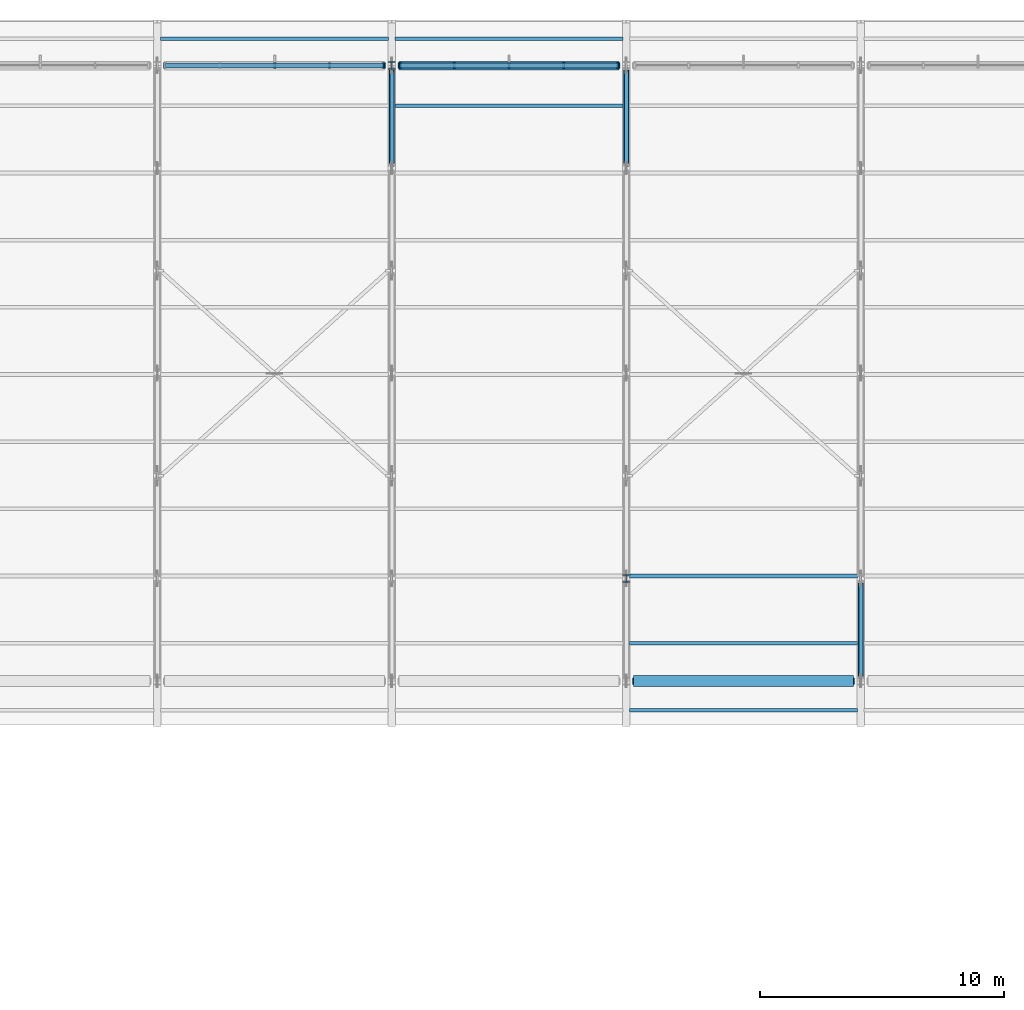
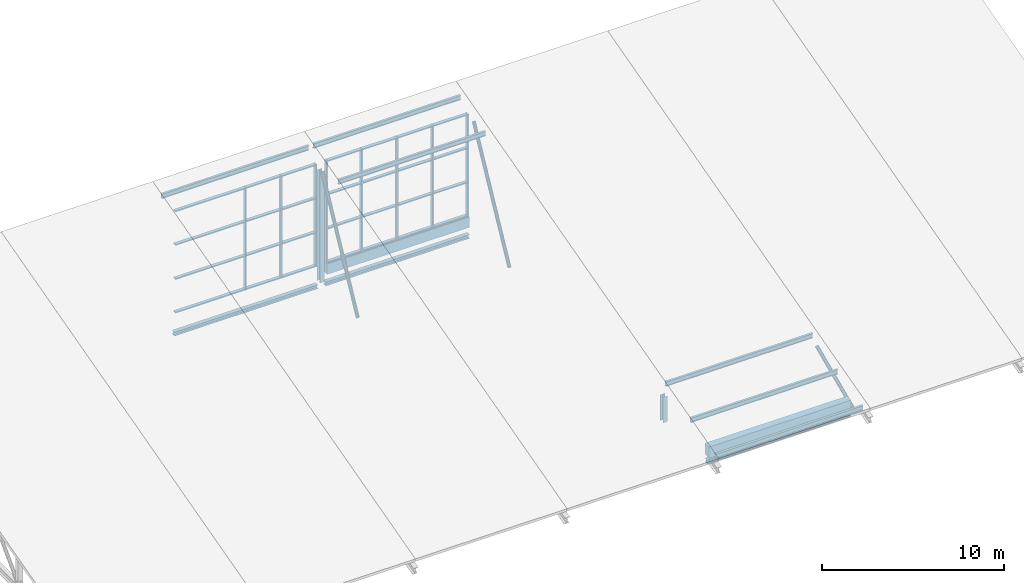
# One storey, part 6 of 37: 30 members, 2 beams, 2 elements without a shape of their own.
"""IFC4 building model written with IfcOpenShell, lengths in metres."""

from ifc_helpers import new_model, si_unit, direction, frame, origin, origin_2d, place, context, subcontext, project, spatial, rectangle, hollow_circle, i_section, extrude, material, material_profile, profile_set, type_object, element, aggregate, save


model = new_model("IFC4")

# Units and contexts
model_context = context("Model", 3, precision=1e-05, world=origin(), true_north=direction((0.0, 1.0)))
body_context = subcontext(model_context, "Body", "Model", "MODEL_VIEW")
ifc_project = project(units=[si_unit("LENGTHUNIT", "METRE"), si_unit("AREAUNIT", "SQUARE_METRE"), si_unit("VOLUMEUNIT", "CUBIC_METRE"), si_unit("PLANEANGLEUNIT", "RADIAN"), si_unit("MASSUNIT", "GRAM", prefix="KILO")], contexts=[model_context])

# Site, building, storey
site_placement = place(None, origin())
site = spatial("IfcSite", under=ifc_project, at=site_placement, CompositionType="ELEMENT")
building_placement = place(site_placement, origin())
building = spatial("IfcBuilding", under=site, at=building_placement, Name="Shalvenor Court Art Gallery", CompositionType="ELEMENT")
storey_placement = place(building_placement, frame((0.0, 0.0, 22.199951171875)))
storey = spatial("IfcBuildingStorey", under=building, at=storey_placement, Name="L04", CompositionType="ELEMENT", Elevation=22.199951171875)

# Beam
ifc_material_1 = material(Name="Concrete C40/50", Category="concrete")
ifc_material_profile_1 = material_profile(ifc_material_1, rectangle(XDim=0.449951171875, YDim=0.75, at=origin_2d()), Name="RC 450x750")
ifc_profile_set_1 = profile_set([ifc_material_profile_1], Name="Concrete C40/50")
beam_type_1 = type_object("IfcBeamType", Name="B-04", PredefinedType="BEAM", material=ifc_profile_set_1)
beam_1_placement = place(storey_placement, frame((96.300048828125, 97.199951171875, -0.675048828125), z_axis=(1.0, 0.0, 0.0), x_axis=(0.0, 1.0, 0.0)))
element("IfcBeam", 1, at=beam_1_placement, inside=storey, type_object=beam_type_1, Name="L04 Girder BM-L04-B-04-1241", PredefinedType="BEAM", context=body_context, shape_type="SweptSolid", body=[
    extrude(rectangle(XDim=0.449951171875, YDim=0.75, at=origin_2d()), origin(), (0.0, 0.0, 1.0), 9.0),
])

# Curtain wall, members
ifc_material_2 = material(Name="Anodised aluminium and low-iron glass curtain wall", Category="aluminium")
curtain_wall_type = type_object("IfcCurtainWallType", Name="CW-NL-V2", PredefinedType="USERDEFINED", material=ifc_material_2)
curtain_wall_1_placement = place(storey_placement, origin())
curtain_wall_1 = element("IfcCurtainWall", 2, at=curtain_wall_1_placement, inside=storey, type_object=curtain_wall_type, Name="L04 V2 North Light Clerestory 3", ObjectType="CURTAIN WALL", PredefinedType="USERDEFINED")
ifc_material_3 = material(Name="Dark anodised bronze aluminium mullion", Category="aluminium")
ifc_material_profile_2 = material_profile(ifc_material_3, rectangle(XDim=0.080078125, YDim=0.239990234375, at=origin_2d()), Name="CWM-05")
ifc_profile_set_2 = profile_set([ifc_material_profile_2], Name="Dark anodised bronze aluminium mullion")
member_type_1 = type_object("IfcMemberType", Name="CWM-05", PredefinedType="MULLION", material=ifc_profile_set_2)
member_1_placement = place(storey_placement, frame((81.60009765625, 122.39990234375, 0.0), z_axis=(0.0, 0.0, 1.0), x_axis=(1.0, 0.0, 0.0)))
member_1 = element("IfcMember", 3, at=member_1_placement, type_object=member_type_1, Name="CW-NL-V2 mullion 3", PredefinedType="MULLION", context=body_context, shape_type="SweptSolid", body=[
    extrude(rectangle(XDim=0.080078125, YDim=0.239990234375, at=origin_2d()), origin(), (0.0, 0.0, 1.0), 6.85009765625),
])
member_2_placement = place(storey_placement, frame((83.85009765625, 122.39990234375, 0.0), z_axis=(0.0, 0.0, 1.0), x_axis=(1.0, 0.0, 0.0)))
member_2 = element("IfcMember", 4, at=member_2_placement, type_object=member_type_1, Name="CW-NL-V2 mullion 4", PredefinedType="MULLION", context=body_context, shape_type="SweptSolid", body=[
    extrude(rectangle(XDim=0.080078125, YDim=0.239990234375, at=origin_2d()), origin(), (0.0, 0.0, 1.0), 6.85009765625),
])
member_3_placement = place(storey_placement, frame((86.06005859375, 122.39990234375, 0.0), z_axis=(0.0, 0.0, 1.0), x_axis=(1.0, 0.0, 0.0)))
member_3 = element("IfcMember", 5, at=member_3_placement, type_object=member_type_1, Name="CW-NL-V2 mullion 5", PredefinedType="MULLION", context=body_context, shape_type="SweptSolid", body=[
    extrude(rectangle(XDim=0.080078125, YDim=0.239990234375, at=origin_2d()), origin(), (0.0, 0.0, 1.0), 6.85009765625),
])

curtain_wall_2_placement = place(storey_placement, origin())
curtain_wall_2 = element("IfcCurtainWall", 6, at=curtain_wall_2_placement, inside=storey, type_object=curtain_wall_type, Name="L04 V2 North Light Clerestory 4", ObjectType="CURTAIN WALL", PredefinedType="USERDEFINED")
member_4_placement = place(storey_placement, frame((86.739990234375, 122.39990234375, 0.0), z_axis=(0.0, 0.0, 1.0), x_axis=(1.0, 0.0, 0.0)))
member_4 = element("IfcMember", 7, at=member_4_placement, type_object=member_type_1, Name="CW-NL-V2 mullion 1", PredefinedType="MULLION", context=body_context, shape_type="SweptSolid", body=[
    extrude(rectangle(XDim=0.080078125, YDim=0.239990234375, at=origin_2d()), origin(), (0.0, 0.0, 1.0), 6.85009765625),
])
member_5_placement = place(storey_placement, frame((88.949951171875, 122.39990234375, 0.0), z_axis=(0.0, 0.0, 1.0), x_axis=(1.0, 0.0, 0.0)))
member_5 = element("IfcMember", 8, at=member_5_placement, type_object=member_type_1, Name="CW-NL-V2 mullion 2", PredefinedType="MULLION", context=body_context, shape_type="SweptSolid", body=[
    extrude(rectangle(XDim=0.080078125, YDim=0.239990234375, at=origin_2d()), origin(), (0.0, 0.0, 1.0), 6.85009765625),
])
member_6_placement = place(storey_placement, frame((91.199951171875, 122.39990234375, 0.0), z_axis=(0.0, 0.0, 1.0), x_axis=(1.0, 0.0, 0.0)))
member_6 = element("IfcMember", 9, at=member_6_placement, type_object=member_type_1, Name="CW-NL-V2 mullion 3", PredefinedType="MULLION", context=body_context, shape_type="SweptSolid", body=[
    extrude(rectangle(XDim=0.080078125, YDim=0.239990234375, at=origin_2d()), origin(), (0.0, 0.0, 1.0), 6.85009765625),
])
member_7_placement = place(storey_placement, frame((93.449951171875, 122.39990234375, 0.0), z_axis=(0.0, 0.0, 1.0), x_axis=(1.0, 0.0, 0.0)))
member_7 = element("IfcMember", 10, at=member_7_placement, type_object=member_type_1, Name="CW-NL-V2 mullion 4", PredefinedType="MULLION", context=body_context, shape_type="SweptSolid", body=[
    extrude(rectangle(XDim=0.080078125, YDim=0.239990234375, at=origin_2d()), origin(), (0.0, 0.0, 1.0), 6.85009765625),
])
member_8_placement = place(storey_placement, frame((95.659912109375, 122.39990234375, 0.0), z_axis=(0.0, 0.0, 1.0), x_axis=(1.0, 0.0, 0.0)))
member_8 = element("IfcMember", 11, at=member_8_placement, type_object=member_type_1, Name="CW-NL-V2 mullion 5", PredefinedType="MULLION", context=body_context, shape_type="SweptSolid", body=[
    extrude(rectangle(XDim=0.080078125, YDim=0.239990234375, at=origin_2d()), origin(), (0.0, 0.0, 1.0), 6.85009765625),
])

# Member
ifc_material_4 = material(Name="Dark anodised bronze aluminium transom", Category="aluminium")
ifc_material_profile_3 = material_profile(ifc_material_4, rectangle(XDim=0.2099609375, YDim=0.074951171875, at=origin_2d()), Name="CWT-05")
ifc_profile_set_3 = profile_set([ifc_material_profile_3], Name="Dark anodised bronze aluminium transom")
member_type_2 = type_object("IfcMemberType", Name="CWT-05", PredefinedType="USERDEFINED", material=ifc_profile_set_3)
member_9_placement = place(storey_placement, frame((77.139892578125, 122.39990234375, 0.03759765625), z_axis=(1.0, 0.0, 0.0), x_axis=(0.0, 1.0, 0.0)))
member_9 = element("IfcMember", 12, at=member_9_placement, type_object=member_type_2, Name="CW-NL-V2 transom 1", ObjectType="TRANSOM", PredefinedType="USERDEFINED", context=body_context, shape_type="SweptSolid", body=[
    extrude(rectangle(XDim=0.2099609375, YDim=0.074951171875, at=origin_2d()), origin(), (0.0, 0.0, 1.0), 8.920166015625),
])

member_10_placement = place(storey_placement, frame((77.139892578125, 122.39990234375, 2.283447265625), z_axis=(1.0, 0.0, 0.0), x_axis=(0.0, 1.0, 0.0)))
member_10 = element("IfcMember", 13, at=member_10_placement, type_object=member_type_2, Name="CW-NL-V2 transom 2", ObjectType="TRANSOM", PredefinedType="USERDEFINED", context=body_context, shape_type="SweptSolid", body=[
    extrude(rectangle(XDim=0.2099609375, YDim=0.074951171875, at=origin_2d()), origin(), (0.0, 0.0, 1.0), 8.920166015625),
])

member_11_placement = place(storey_placement, frame((77.139892578125, 122.39990234375, 4.566650390625), z_axis=(1.0, 0.0, 0.0), x_axis=(0.0, 1.0, 0.0)))
member_11 = element("IfcMember", 14, at=member_11_placement, type_object=member_type_2, Name="CW-NL-V2 transom 3", ObjectType="TRANSOM", PredefinedType="USERDEFINED", context=body_context, shape_type="SweptSolid", body=[
    extrude(rectangle(XDim=0.2099609375, YDim=0.074951171875, at=origin_2d()), origin(), (0.0, 0.0, 1.0), 8.920166015625),
])

member_12_placement = place(storey_placement, frame((77.139892578125, 122.39990234375, 6.8125), z_axis=(1.0, 0.0, 0.0), x_axis=(0.0, 1.0, 0.0)))
member_12 = element("IfcMember", 15, at=member_12_placement, type_object=member_type_2, Name="CW-NL-V2 transom 4", ObjectType="TRANSOM", PredefinedType="USERDEFINED", context=body_context, shape_type="SweptSolid", body=[
    extrude(rectangle(XDim=0.2099609375, YDim=0.074951171875, at=origin_2d()), origin(), (0.0, 0.0, 1.0), 8.920166015625),
])

aggregate(curtain_wall_1, [member_1, member_2, member_3, member_9, member_10, member_11, member_12])

member_13_placement = place(storey_placement, frame((86.739990234375, 122.39990234375, 0.03759765625), z_axis=(1.0, 0.0, 0.0), x_axis=(0.0, 1.0, 0.0)))
member_13 = element("IfcMember", 16, at=member_13_placement, type_object=member_type_2, Name="CW-NL-V2 transom 1", ObjectType="TRANSOM", PredefinedType="USERDEFINED", context=body_context, shape_type="SweptSolid", body=[
    extrude(rectangle(XDim=0.2099609375, YDim=0.074951171875, at=origin_2d()), origin(), (0.0, 0.0, 1.0), 8.919921875),
])

member_14_placement = place(storey_placement, frame((86.739990234375, 122.39990234375, 2.283447265625), z_axis=(1.0, 0.0, 0.0), x_axis=(0.0, 1.0, 0.0)))
member_14 = element("IfcMember", 17, at=member_14_placement, type_object=member_type_2, Name="CW-NL-V2 transom 2", ObjectType="TRANSOM", PredefinedType="USERDEFINED", context=body_context, shape_type="SweptSolid", body=[
    extrude(rectangle(XDim=0.2099609375, YDim=0.074951171875, at=origin_2d()), origin(), (0.0, 0.0, 1.0), 8.919921875),
])

member_15_placement = place(storey_placement, frame((86.739990234375, 122.39990234375, 4.566650390625), z_axis=(1.0, 0.0, 0.0), x_axis=(0.0, 1.0, 0.0)))
member_15 = element("IfcMember", 18, at=member_15_placement, type_object=member_type_2, Name="CW-NL-V2 transom 3", ObjectType="TRANSOM", PredefinedType="USERDEFINED", context=body_context, shape_type="SweptSolid", body=[
    extrude(rectangle(XDim=0.2099609375, YDim=0.074951171875, at=origin_2d()), origin(), (0.0, 0.0, 1.0), 8.919921875),
])

member_16_placement = place(storey_placement, frame((86.739990234375, 122.39990234375, 6.8125), z_axis=(1.0, 0.0, 0.0), x_axis=(0.0, 1.0, 0.0)))
member_16 = element("IfcMember", 19, at=member_16_placement, type_object=member_type_2, Name="CW-NL-V2 transom 4", ObjectType="TRANSOM", PredefinedType="USERDEFINED", context=body_context, shape_type="SweptSolid", body=[
    extrude(rectangle(XDim=0.2099609375, YDim=0.074951171875, at=origin_2d()), origin(), (0.0, 0.0, 1.0), 8.919921875),
])

aggregate(curtain_wall_2, [member_4, member_5, member_6, member_7, member_8, member_13, member_14, member_15, member_16])

# Members
ifc_material_5 = material(Name="Steel S355", Category="steel")
ifc_material_profile_4 = material_profile(ifc_material_5, i_section(OverallWidth=0.14990234375, OverallDepth=0.300048828125, WebThickness=0.007080078125, FlangeThickness=0.0107421875, at=origin_2d()), Name="IPE 300")
ifc_profile_set_4 = profile_set([ifc_material_profile_4], Name="Steel S355")
member_type_3 = type_object("IfcMemberType", Name="PR-01", PredefinedType="PURLIN", material=ifc_profile_set_4)
for number, where, z_axis, x_axis, name in (
    (20, (86.534912109375, 120.75, 6.459228515625), (1.0, 0.0, 0.0), (0.0, 1.0, 0.0), "L04 V2 Roof Purlin 4.10"),
    (21, (96.135009765625, 98.75, 0.5009765625), (1.0, 0.0, 0.0), (0.0, 1.0, 0.0), "L04 V2 Roof Purlin 5.2"),
    (22, (96.135009765625, 101.5, 1.245849609375), (1.0, 0.0, 0.0), (0.0, 1.0, 0.0), "L04 V2 Roof Purlin 5.3"),
):
    element("IfcMember", number, at=place(storey_placement, frame(where, z_axis=z_axis, x_axis=x_axis)), inside=storey, type_object=member_type_3, Name=name, PredefinedType="PURLIN", context=body_context, shape_type="SweptSolid", body=[
        extrude(i_section(OverallWidth=0.14990234375, OverallDepth=0.300048828125, WebThickness=0.007080078125, FlangeThickness=0.0107421875, at=origin_2d()), origin(), (0.0, 0.0, 1.0), 9.330078125),
    ])
ifc_material_6 = material(Name="Steel S355", Category="steel")
ifc_material_profile_5 = material_profile(ifc_material_6, i_section(OverallWidth=0.14990234375, OverallDepth=0.300048828125, WebThickness=0.007080078125, FlangeThickness=0.0107421875, at=origin_2d()), Name="IPE 300")
ifc_profile_set_5 = profile_set([ifc_material_profile_5], Name="Steel S355")
member_type_4 = type_object("IfcMemberType", Name="PR-03", PredefinedType="PURLIN", material=ifc_profile_set_5)
member_17_placement = place(storey_placement, frame((76.93505859375, 123.5, 7.2041015625), z_axis=(1.0, 0.0, 0.0), x_axis=(0.0, 1.0, 0.0)))
element("IfcMember", 23, at=member_17_placement, inside=storey, type_object=member_type_4, Name="L04 V2 Roof Purlin 3.11", PredefinedType="PURLIN", context=body_context, shape_type="SweptSolid", body=[
    extrude(i_section(OverallWidth=0.14990234375, OverallDepth=0.300048828125, WebThickness=0.007080078125, FlangeThickness=0.0107421875, at=origin_2d()), origin(), (0.0, 0.0, 1.0), 9.329833984375),
])
for number, where, z_axis, x_axis, name in (
    (24, (86.534912109375, 123.5, 7.2041015625), (1.0, 0.0, 0.0), (0.0, 1.0, 0.0), "L04 V2 Roof Purlin 4.11"),
    (25, (96.135009765625, 96.0, -0.24365234375), (1.0, 0.0, 0.0), (0.0, 1.0, 0.0), "L04 V2 Roof Purlin 5.1"),
):
    element("IfcMember", number, at=place(storey_placement, frame(where, z_axis=z_axis, x_axis=x_axis)), inside=storey, type_object=member_type_4, Name=name, PredefinedType="PURLIN", context=body_context, shape_type="SweptSolid", body=[
        extrude(i_section(OverallWidth=0.14990234375, OverallDepth=0.300048828125, WebThickness=0.007080078125, FlangeThickness=0.0107421875, at=origin_2d()), origin(), (0.0, 0.0, 1.0), 9.330078125),
    ])

# Beam
ifc_material_7 = material(Name="Concrete C40/50", Category="concrete")
ifc_material_profile_6 = material_profile(ifc_material_7, rectangle(XDim=0.35009765625, YDim=0.699951171875, at=origin_2d()), Name="RC 350x700")
ifc_profile_set_6 = profile_set([ifc_material_profile_6], Name="Concrete C40/50")
beam_type_2 = type_object("IfcBeamType", Name="SP-01", PredefinedType="SPANDREL", material=ifc_profile_set_6)
beam_2_placement = place(storey_placement, frame((86.699951171875, 122.39990234375, -0.349853515625), z_axis=(1.0, 0.0, 0.0), x_axis=(0.0, 1.0, 0.0)))
element("IfcBeam", 26, at=beam_2_placement, inside=storey, type_object=beam_type_2, Name="L04 Spandrel Girder BM-L04-SP-01-1251", PredefinedType="SPANDREL", context=body_context, shape_type="SweptSolid", body=[
    extrude(rectangle(XDim=0.35009765625, YDim=0.699951171875, at=origin_2d()), origin(), (0.0, 0.0, 1.0), 9.0),
])

# Members
ifc_material_8 = material(Name="Steel S355", Category="steel")
ifc_material_profile_7 = material_profile(ifc_material_8, i_section(OverallWidth=0.260009765625, OverallDepth=0.260009765625, WebThickness=0.010009765625, FlangeThickness=0.017578125, at=origin_2d()), Name="HEB 260")
ifc_profile_set_7 = profile_set([ifc_material_profile_7], Name="Steel S355")
member_type_5 = type_object("IfcMemberType", Name="TM-C1", PredefinedType="CHORD", material=ifc_profile_set_7)
member_18_placement = place(storey_placement, frame((77.050048828125, 122.39990234375, -1.349853515625), z_axis=(1.0, 0.0, 0.0), x_axis=(0.0, 1.0, 0.0)))
element("IfcMember", 27, at=member_18_placement, inside=storey, type_object=member_type_5, Name="L04 V2 Eave Truss Chord Tie 3.2", PredefinedType="CHORD", context=body_context, shape_type="SweptSolid", body=[
    extrude(i_section(OverallWidth=0.260009765625, OverallDepth=0.260009765625, WebThickness=0.010009765625, FlangeThickness=0.017578125, at=origin_2d()), origin(), (0.0, 0.0, 1.0), 9.099853515625),
])
for number, where, z_axis, x_axis, name in (
    (28, (86.64990234375, 122.39990234375, -1.349853515625), (1.0, 0.0, 0.0), (0.0, 1.0, 0.0), "L04 V2 Eave Truss Chord Tie 4.2"),
    (29, (96.25, 97.199951171875, -1.349853515625), (1.0, 0.0, 0.0), (0.0, 1.0, 0.0), "L04 V2 Eave Truss Chord Tie 5.1"),
):
    element("IfcMember", number, at=place(storey_placement, frame(where, z_axis=z_axis, x_axis=x_axis)), inside=storey, type_object=member_type_5, Name=name, PredefinedType="CHORD", context=body_context, shape_type="SweptSolid", body=[
        extrude(i_section(OverallWidth=0.260009765625, OverallDepth=0.260009765625, WebThickness=0.010009765625, FlangeThickness=0.017578125, at=origin_2d()), origin(), (0.0, 0.0, 1.0), 9.10009765625),
    ])
ifc_material_9 = material(Name="Steel S355", Category="steel")
ifc_material_profile_8 = material_profile(ifc_material_9, hollow_circle(Radius=0.109619140625, WallThickness=0.010009765625, at=origin_2d()), Name="CHS 219.1x10.0")
ifc_profile_set_8 = profile_set([ifc_material_profile_8], Name="Steel S355")
member_type_6 = type_object("IfcMemberType", Name="TM-D1", PredefinedType="BRACE", material=ifc_profile_set_8)
for number, where, z_axis, x_axis, name in (
    (30, (86.39990234375, 118.340087890625, -1.135009765625), (0.0, 0.467153650575, 0.884176151428), (-1.0, 0.0, 0.0), "TR-V2-04 Roof Truss Diagonal 6"),
    (31, (96.0, 118.340087890625, -1.135009765625), (0.0, 0.467153650575, 0.884176151428), (-1.0, 0.0, 0.0), "TR-V2-05 Roof Truss Diagonal 6"),
):
    element("IfcMember", number, at=place(storey_placement, frame(where, z_axis=z_axis, x_axis=x_axis)), inside=storey, type_object=member_type_6, Name=name, PredefinedType="BRACE", context=body_context, shape_type="SweptSolid", body=[
        extrude(hollow_circle(Radius=0.109619140625, WallThickness=0.010009765625, at=origin_2d()), origin(), (0.0, 0.0, 1.0), 8.39111328125),
    ])
member_19_placement = place(storey_placement, frame((105.60009765625, 97.340087890625, -1.135009765625), z_axis=(0.0, 0.914718437716, 0.404091796134), x_axis=(-1.0, 0.0, 0.0)))
element("IfcMember", 32, at=member_19_placement, inside=storey, type_object=member_type_6, Name="TR-V2-06 Roof Truss Diagonal 1", PredefinedType="BRACE", context=body_context, shape_type="SweptSolid", body=[
    extrude(hollow_circle(Radius=0.109619140625, WallThickness=0.010009765625, at=origin_2d()), origin(), (0.0, 0.0, 1.0), 4.285400390625),
])
ifc_material_10 = material(Name="Steel S355", Category="steel")
ifc_material_profile_9 = material_profile(ifc_material_10, i_section(OverallWidth=0.300048828125, OverallDepth=0.300048828125, WebThickness=0.010986328125, FlangeThickness=0.01904296875, at=origin_2d()), Name="HEB 300")
ifc_profile_set_9 = profile_set([ifc_material_profile_9], Name="Steel S355")
member_type_7 = type_object("IfcMemberType", Name="TM-V2", PredefinedType="STRUT", material=ifc_profile_set_9)
member_20_placement = place(storey_placement, frame((86.39990234375, 122.39990234375, -1.1298828125), z_axis=(0.0, 0.0, 1.0), x_axis=(1.0, 0.0, 0.0)))
element("IfcMember", 33, at=member_20_placement, inside=storey, type_object=member_type_7, Name="TR-V2-04 Roof Truss Vertical 7", PredefinedType="STRUT", context=body_context, shape_type="SweptSolid", body=[
    extrude(i_section(OverallWidth=0.300048828125, OverallDepth=0.300048828125, WebThickness=0.010986328125, FlangeThickness=0.01904296875, at=origin_2d()), origin(), (0.0, 0.0, 1.0), 7.4091796875),
])
member_21_placement = place(storey_placement, frame((96.0, 101.39990234375, -1.1298828125), z_axis=(0.0, 0.0, 1.0), x_axis=(1.0, 0.0, 0.0)))
element("IfcMember", 34, at=member_21_placement, inside=storey, type_object=member_type_7, Name="TR-V2-05 Roof Truss Vertical 2", PredefinedType="STRUT", context=body_context, shape_type="SweptSolid", body=[
    extrude(i_section(OverallWidth=0.300048828125, OverallDepth=0.300048828125, WebThickness=0.010986328125, FlangeThickness=0.01904296875, at=origin_2d()), origin(), (0.0, 0.0, 1.0), 1.7216796875),
])

save(model, "model.ifc")
